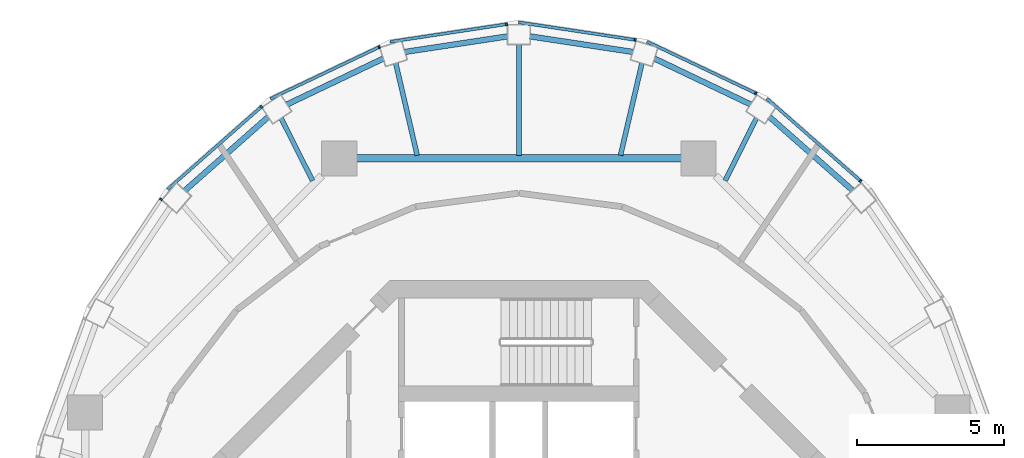
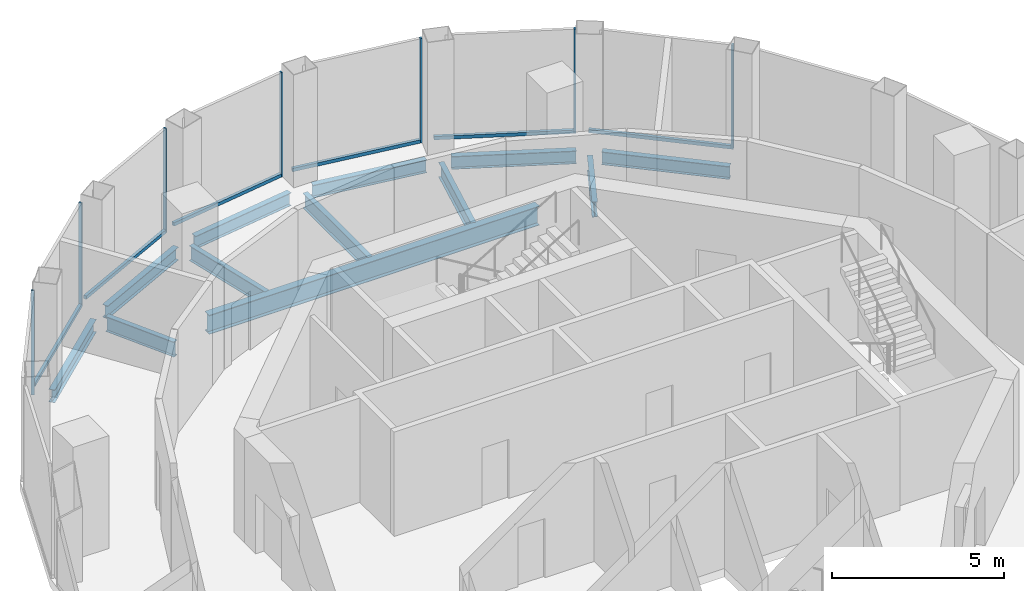
# One storey, part 6 of 11: 13 members, 12 beams, 7 elements without a shape of their own.
"""IFC4 building model written with IfcOpenShell, lengths in metres."""

from ifc_helpers import new_model, si_unit, direction, frame, origin, origin_2d, place, context, subcontext, project, spatial, rectangle, i_section, extrude, material, layer, layer_set, material_profile, profile_set, type_object, element, aggregate, save


model = new_model("IFC4")

# Units and contexts
model_context = context("Model", 3, precision=1e-05, world=origin(), true_north=direction((0.0, 1.0)))
body_context = subcontext(model_context, "Body", "Model", "MODEL_VIEW")
ifc_project = project(units=[si_unit("LENGTHUNIT", "METRE"), si_unit("AREAUNIT", "SQUARE_METRE"), si_unit("VOLUMEUNIT", "CUBIC_METRE"), si_unit("PLANEANGLEUNIT", "RADIAN"), si_unit("MASSUNIT", "GRAM", prefix="KILO")], contexts=[model_context])

# Site, building, storey
site_placement = place(None, origin())
site = spatial("IfcSite", under=ifc_project, at=site_placement, CompositionType="ELEMENT")
building_placement = place(site_placement, origin())
building = spatial("IfcBuilding", under=site, at=building_placement, Name="Nagisa Residences", CompositionType="ELEMENT")
storey_placement = place(building_placement, frame((0.0, 0.0, 336.89990234375)))
storey = spatial("IfcBuildingStorey", under=building, at=storey_placement, Name="L83", CompositionType="ELEMENT", Elevation=336.89990234375)

# Curtain wall, member
ifc_material_1 = material(Name="Aluminium curtain wall system", Category="aluminium")
ifc_layer = layer(ifc_material_1, 0.159912109375)
ifc_layer_set = layer_set([ifc_layer], Name="CW5 CURTAIN WALL")
curtain_wall_type = type_object("IfcCurtainWallType", Name="CW5 CURTAIN WALL", PredefinedType="NOTDEFINED", material=ifc_layer_set)
curtain_wall_1_placement = place(storey_placement, origin())
curtain_wall_1 = element("IfcCurtainWall", 1, at=curtain_wall_1_placement, inside=storey, type_object=curtain_wall_type, Name="cw:CW5:L83:03", PredefinedType="NOTDEFINED")
ifc_material_2 = material(Name="Aluminium", Category="aluminium")
ifc_material_profile_1 = material_profile(ifc_material_2, rectangle(XDim=0.10009765625, YDim=0.06005859375, at=origin_2d()), Name="CW5 MULLION 100x60")
ifc_profile_set_1 = profile_set([ifc_material_profile_1], Name="Aluminium")
member_type_1 = type_object("IfcMemberType", Name="CW5 MULLION 100x60", PredefinedType="MULLION", material=ifc_profile_set_1)
member_1_placement = place(storey_placement, frame((11.645263671875, 14.0126953125, 0.0), z_axis=(0.0, 0.0, 1.0), x_axis=(-0.660699467703, -0.750650526795, 0.0)))
member_1 = element("IfcMember", 2, at=member_1_placement, type_object=member_type_1, Name="CW5 mullion", PredefinedType="MULLION", context=body_context, shape_type="SweptSolid", body=[
    extrude(rectangle(XDim=0.10009765625, YDim=0.06005859375, at=origin_2d()), origin(), (0.0, 0.0, 1.0), 3.7001953125),
])

curtain_wall_2_placement = place(storey_placement, origin())
curtain_wall_2 = element("IfcCurtainWall", 3, at=curtain_wall_2_placement, inside=storey, type_object=curtain_wall_type, Name="cw:CW5:L83:04", PredefinedType="NOTDEFINED")
member_2_placement = place(storey_placement, frame((8.077392578125, 16.999755859375, 0.0), z_axis=(0.0, 0.0, 1.0), x_axis=(-0.429150642757, -0.903232929992, 0.0)))
member_2 = element("IfcMember", 4, at=member_2_placement, type_object=member_type_1, Name="CW5 mullion", PredefinedType="MULLION", context=body_context, shape_type="SweptSolid", body=[
    extrude(rectangle(XDim=0.10009765625, YDim=0.06005859375, at=origin_2d()), origin(), (0.0, 0.0, 1.0), 3.7001953125),
])

curtain_wall_3_placement = place(storey_placement, origin())
curtain_wall_3 = element("IfcCurtainWall", 5, at=curtain_wall_3_placement, inside=storey, type_object=curtain_wall_type, Name="cw:CW5:L83:05", PredefinedType="NOTDEFINED")
member_3_placement = place(storey_placement, frame((3.962890625, 18.820556640625, 0.0), z_axis=(0.0, 0.0, 1.0), x_axis=(-0.149320135997, -0.988788904158, 0.0)))
member_3 = element("IfcMember", 6, at=member_3_placement, type_object=member_type_1, Name="CW5 mullion", PredefinedType="MULLION", context=body_context, shape_type="SweptSolid", body=[
    extrude(rectangle(XDim=0.10009765625, YDim=0.06005859375, at=origin_2d()), origin(), (0.0, 0.0, 1.0), 3.7001953125),
])

curtain_wall_4_placement = place(storey_placement, origin())
curtain_wall_4 = element("IfcCurtainWall", 7, at=curtain_wall_4_placement, inside=storey, type_object=curtain_wall_type, Name="cw:CW5:L83:06", PredefinedType="NOTDEFINED")
member_4_placement = place(storey_placement, frame((-0.413330078125, 19.356689453125, 0.0), z_axis=(0.0, 0.0, 1.0), x_axis=(0.149320135997, -0.988788904158, 0.0)))
member_4 = element("IfcMember", 8, at=member_4_placement, type_object=member_type_1, Name="CW5 mullion", PredefinedType="MULLION", context=body_context, shape_type="SweptSolid", body=[
    extrude(rectangle(XDim=0.10009765625, YDim=0.06005859375, at=origin_2d()), origin(), (0.0, 0.0, 1.0), 3.7001953125),
])

curtain_wall_5_placement = place(storey_placement, origin())
curtain_wall_5 = element("IfcCurtainWall", 9, at=curtain_wall_5_placement, inside=storey, type_object=curtain_wall_type, Name="cw:CW5:L83:07", PredefinedType="NOTDEFINED")
member_5_placement = place(storey_placement, frame((-4.75390625, 18.578857421875, 0.0), z_axis=(0.0, 0.0, 1.0), x_axis=(0.429150642757, -0.903232929992, 0.0)))
member_5 = element("IfcMember", 10, at=member_5_placement, type_object=member_type_1, Name="CW5 mullion", PredefinedType="MULLION", context=body_context, shape_type="SweptSolid", body=[
    extrude(rectangle(XDim=0.10009765625, YDim=0.06005859375, at=origin_2d()), origin(), (0.0, 0.0, 1.0), 3.7001953125),
])

curtain_wall_6_placement = place(storey_placement, origin())
curtain_wall_6 = element("IfcCurtainWall", 11, at=curtain_wall_6_placement, inside=storey, type_object=curtain_wall_type, Name="cw:CW5:L83:08", PredefinedType="NOTDEFINED")
member_6_placement = place(storey_placement, frame((-8.77001953125, 16.54345703125, 0.0), z_axis=(0.0, 0.0, 1.0), x_axis=(0.660699467703, -0.750650526795, 0.0)))
member_6 = element("IfcMember", 12, at=member_6_placement, type_object=member_type_1, Name="CW5 mullion", PredefinedType="MULLION", context=body_context, shape_type="SweptSolid", body=[
    extrude(rectangle(XDim=0.10009765625, YDim=0.06005859375, at=origin_2d()), origin(), (0.0, 0.0, 1.0), 3.7001953125),
])

curtain_wall_7_placement = place(storey_placement, origin())
curtain_wall_7 = element("IfcCurtainWall", 13, at=curtain_wall_7_placement, inside=storey, type_object=curtain_wall_type, Name="cw:CW5:L83:09", PredefinedType="NOTDEFINED")
member_7_placement = place(storey_placement, frame((-12.193359375, 13.38671875, 0.0), z_axis=(0.0, 0.0, 1.0), x_axis=(0.831172662415, -0.556014393027, 0.0)))
member_7 = element("IfcMember", 14, at=member_7_placement, type_object=member_type_1, Name="CW5 mullion", PredefinedType="MULLION", context=body_context, shape_type="SweptSolid", body=[
    extrude(rectangle(XDim=0.10009765625, YDim=0.06005859375, at=origin_2d()), origin(), (0.0, 0.0, 1.0), 3.7001953125),
])
aggregate(curtain_wall_7, [member_7])

# Member
ifc_material_3 = material(Name="Aluminium", Category="aluminium")
ifc_material_profile_2 = material_profile(ifc_material_3, rectangle(XDim=0.10009765625, YDim=0.1201171875, at=origin_2d()), Name="CW5 TRANSOM 100x120")
ifc_profile_set_2 = profile_set([ifc_material_profile_2], Name="Aluminium")
member_type_2 = type_object("IfcMemberType", Name="CW5 TRANSOM 100x120", PredefinedType="USERDEFINED", material=ifc_profile_set_2)
member_8_placement = place(storey_placement, frame((11.667724609375, 13.992919921875, 0.06005859375), z_axis=(-0.750659327094, 0.660689469151, 0.0), x_axis=(-0.660689469151, -0.750659327094, 0.0)))
member_8 = element("IfcMember", 15, at=member_8_placement, type_object=member_type_2, Name="CW5 transom", ObjectType="TRANSOM", PredefinedType="USERDEFINED", context=body_context, shape_type="SweptSolid", body=[
    extrude(rectangle(XDim=0.10009765625, YDim=0.1201171875, at=origin_2d()), origin(), (0.0, 0.0, 1.0), 4.290283203125),
])

aggregate(curtain_wall_1, [member_1, member_8])

member_9_placement = place(storey_placement, frame((8.1044921875, 16.98681640625, 0.06005859375), z_axis=(-0.903246073132, 0.429122979309, 0.0), x_axis=(-0.429122979309, -0.903246073132, 0.0)))
member_9 = element("IfcMember", 16, at=member_9_placement, type_object=member_type_2, Name="CW5 transom", ObjectType="TRANSOM", PredefinedType="USERDEFINED", context=body_context, shape_type="SweptSolid", body=[
    extrude(rectangle(XDim=0.10009765625, YDim=0.1201171875, at=origin_2d()), origin(), (0.0, 0.0, 1.0), 4.1396484375),
])

aggregate(curtain_wall_2, [member_2, member_9])

member_10_placement = place(storey_placement, frame((3.992431640625, 18.816162109375, 0.06005859375), z_axis=(-0.988788172803, 0.149324978907, 0.0), x_axis=(-0.149324978907, -0.988788172803, 0.0)))
member_10 = element("IfcMember", 17, at=member_10_placement, type_object=member_type_2, Name="CW5 transom", ObjectType="TRANSOM", PredefinedType="USERDEFINED", context=body_context, shape_type="SweptSolid", body=[
    extrude(rectangle(XDim=0.10009765625, YDim=0.1201171875, at=origin_2d()), origin(), (0.0, 0.0, 1.0), 4.0498046875),
])

aggregate(curtain_wall_3, [member_3, member_10])

member_11_placement = place(storey_placement, frame((-0.383544921875, 19.361083984375, 0.06005859375), z_axis=(-0.988788172803, -0.149324978907, 0.0), x_axis=(0.149324978907, -0.988788172803, 0.0)))
member_11 = element("IfcMember", 18, at=member_11_placement, type_object=member_type_2, Name="CW5 transom", ObjectType="TRANSOM", PredefinedType="USERDEFINED", context=body_context, shape_type="SweptSolid", body=[
    extrude(rectangle(XDim=0.10009765625, YDim=0.1201171875, at=origin_2d()), origin(), (0.0, 0.0, 1.0), 4.0498046875),
])

aggregate(curtain_wall_4, [member_4, member_11])

member_12_placement = place(storey_placement, frame((-4.726806640625, 18.591552734375, 0.06005859375), z_axis=(-0.903235211694, -0.429145840426, 0.0), x_axis=(0.429145840426, -0.903235211694, 0.0)))
member_12 = element("IfcMember", 19, at=member_12_placement, type_object=member_type_2, Name="CW5 transom", ObjectType="TRANSOM", PredefinedType="USERDEFINED", context=body_context, shape_type="SweptSolid", body=[
    extrude(rectangle(XDim=0.10009765625, YDim=0.1201171875, at=origin_2d()), origin(), (0.0, 0.0, 1.0), 4.139404296875),
])

aggregate(curtain_wall_5, [member_5, member_12])

member_13_placement = place(storey_placement, frame((-8.747314453125, 16.563232421875, 0.06005859375), z_axis=(-0.750655944686, -0.66069331214, 0.0), x_axis=(0.66069331214, -0.750655944686, 0.0)))
member_13 = element("IfcMember", 20, at=member_13_placement, type_object=member_type_2, Name="CW5 transom", ObjectType="TRANSOM", PredefinedType="USERDEFINED", context=body_context, shape_type="SweptSolid", body=[
    extrude(rectangle(XDim=0.10009765625, YDim=0.1201171875, at=origin_2d()), origin(), (0.0, 0.0, 1.0), 4.29052734375),
])

aggregate(curtain_wall_6, [member_6, member_13])

# Beams
ifc_material_4 = material(Name="Steel ASTM A572 Gr 50", Category="steel")
ifc_material_profile_3 = material_profile(ifc_material_4, i_section(OverallWidth=0.2529296875, OverallDepth=0.677978515625, WebThickness=0.01171875, FlangeThickness=0.016357421875, at=origin_2d()), Name="W690x125")
ifc_profile_set_3 = profile_set([ifc_material_profile_3], Name="Steel ASTM A572 Gr 50")
beam_type_1 = type_object("IfcBeamType", Name="Inner ring beam W690x125", PredefinedType="BEAM", material=ifc_profile_set_3)
beam_1_placement = place(storey_placement, frame((5.54296875, 14.781982421875, -0.638916015625), z_axis=(-1.0, 0.0, 0.0), x_axis=(0.0, -1.0, 0.0)))
element("IfcBeam", 21, at=beam_1_placement, inside=storey, type_object=beam_type_1, Name="beam:L83:ib2", PredefinedType="BEAM", context=body_context, shape_type="SweptSolid", body=[
    extrude(i_section(OverallWidth=0.2529296875, OverallDepth=0.677978515625, WebThickness=0.01171875, FlangeThickness=0.016357421875, at=origin_2d()), origin(), (0.0, 0.0, 1.0), 11.0859375),
])
ifc_material_5 = material(Name="Steel ASTM A572 Gr 50", Category="steel")
ifc_material_profile_4 = material_profile(ifc_material_5, i_section(OverallWidth=0.18994140625, OverallDepth=0.45703125, WebThickness=0.009033203125, FlangeThickness=0.014404296875, at=origin_2d()), Name="W460x74")
ifc_profile_set_4 = profile_set([ifc_material_profile_4], Name="Steel ASTM A572 Gr 50")
beam_type_2 = type_object("IfcBeamType", Name="Perimeter ring beam W460x74", PredefinedType="BEAM", material=ifc_profile_set_4)
beam_2_placement = place(storey_placement, frame((11.3798828125, 13.68896484375, -0.5283203125), z_axis=(-0.749401876552, 0.662115418503, 0.0), x_axis=(-0.662115418503, -0.749401876552, 0.0)))
element("IfcBeam", 22, at=beam_2_placement, inside=storey, type_object=beam_type_2, Name="beam:L83:pb04", PredefinedType="BEAM", context=body_context, shape_type="SweptSolid", body=[
    extrude(i_section(OverallWidth=0.18994140625, OverallDepth=0.45703125, WebThickness=0.009033203125, FlangeThickness=0.014404296875, at=origin_2d()), origin(), (0.0, 0.0, 1.0), 3.792724609375),
])
beam_3_placement = place(storey_placement, frame((7.903564453125, 16.619873046875, -0.5283203125), z_axis=(-0.902613702305, 0.430451512266, 0.0), x_axis=(-0.430451512266, -0.902613702305, 0.0)))
element("IfcBeam", 23, at=beam_3_placement, inside=storey, type_object=beam_type_2, Name="beam:L83:pb05", PredefinedType="BEAM", context=body_context, shape_type="SweptSolid", body=[
    extrude(i_section(OverallWidth=0.18994140625, OverallDepth=0.45703125, WebThickness=0.009033203125, FlangeThickness=0.014404296875, at=origin_2d()), origin(), (0.0, 0.0, 1.0), 3.640625),
])
for number, where, z_axis, x_axis, name in (
    (24, (3.890380859375, 18.41015625, -0.5283203125), (-0.988700067025, 0.149907229525, 0.0), (-0.149907229525, -0.988700067025, 0.0), "beam:L83:pb06"),
    (25, (-0.380126953125, 18.9423828125, -0.5283203125), (-0.988700067025, -0.149907229525, 0.0), (0.149907229525, -0.988700067025, 0.0), "beam:L83:pb07"),
):
    element("IfcBeam", number, at=place(storey_placement, frame(where, z_axis=z_axis, x_axis=x_axis)), inside=storey, type_object=beam_type_2, Name=name, PredefinedType="BEAM", context=body_context, shape_type="SweptSolid", body=[
        extrude(i_section(OverallWidth=0.18994140625, OverallDepth=0.45703125, WebThickness=0.009033203125, FlangeThickness=0.014404296875, at=origin_2d()), origin(), (0.0, 0.0, 1.0), 3.55029296875),
    ])
beam_4_placement = place(storey_placement, frame((-4.617431640625, 18.18701171875, -0.5283203125), z_axis=(-0.902613702305, -0.430451512266, 0.0), x_axis=(0.430451512266, -0.902613702305, 0.0)))
element("IfcBeam", 26, at=beam_4_placement, inside=storey, type_object=beam_type_2, Name="beam:L83:pb08", PredefinedType="BEAM", context=body_context, shape_type="SweptSolid", body=[
    extrude(i_section(OverallWidth=0.18994140625, OverallDepth=0.45703125, WebThickness=0.009033203125, FlangeThickness=0.014404296875, at=origin_2d()), origin(), (0.0, 0.0, 1.0), 3.640625),
])
beam_5_placement = place(storey_placement, frame((-8.53759765625, 16.2001953125, -0.5283203125), z_axis=(-0.749401876552, -0.662115418503, 0.0), x_axis=(0.662115418503, -0.749401876552, 0.0)))
element("IfcBeam", 27, at=beam_5_placement, inside=storey, type_object=beam_type_2, Name="beam:L83:pb09", PredefinedType="BEAM", context=body_context, shape_type="SweptSolid", body=[
    extrude(i_section(OverallWidth=0.18994140625, OverallDepth=0.45703125, WebThickness=0.009033203125, FlangeThickness=0.014404296875, at=origin_2d()), origin(), (0.0, 0.0, 1.0), 3.792724609375),
])
ifc_material_6 = material(Name="Steel ASTM A572 Gr 50", Category="steel")
ifc_material_profile_5 = material_profile(ifc_material_6, i_section(OverallWidth=0.166015625, OverallDepth=0.534912109375, WebThickness=0.01025390625, FlangeThickness=0.0166015625, at=origin_2d()), Name="W530x85")
ifc_profile_set_5 = profile_set([ifc_material_profile_5], Name="Steel ASTM A572 Gr 50")
beam_type_3 = type_object("IfcBeamType", Name="Radial beam W530x85", PredefinedType="BEAM", material=ifc_profile_set_5)
beam_6_placement = place(storey_placement, frame((8.10107421875, 16.1572265625, -0.5673828125), z_axis=(-0.448236908276, -0.893914802461, 0.0), x_axis=(0.893914802461, -0.448236908276, 0.0)))
element("IfcBeam", 28, at=beam_6_placement, inside=storey, type_object=beam_type_3, Name="beam:L83:rb05", PredefinedType="BEAM", context=body_context, shape_type="SweptSolid", body=[
    extrude(i_section(OverallWidth=0.166015625, OverallDepth=0.534912109375, WebThickness=0.01025390625, FlangeThickness=0.0166015625, at=origin_2d()), origin(), (0.0, 0.0, 1.0), 2.385009765625),
])
beam_7_placement = place(storey_placement, frame((4.195556640625, 18.0302734375, -0.5673828125), z_axis=(-0.226650446588, -0.973976167604, 0.0), x_axis=(0.973976167604, -0.226650446588, 0.0)))
element("IfcBeam", 29, at=beam_7_placement, inside=storey, type_object=beam_type_3, Name="beam:L83:rb06", PredefinedType="BEAM", context=body_context, shape_type="SweptSolid", body=[
    extrude(i_section(OverallWidth=0.166015625, OverallDepth=0.534912109375, WebThickness=0.01025390625, FlangeThickness=0.0166015625, at=origin_2d()), origin(), (0.0, 0.0, 1.0), 3.22509765625),
])
beam_8_placement = place(storey_placement, frame((0.0, 18.669921875, -0.5673828125), z_axis=(0.0, -1.0, 0.0), x_axis=(1.0, 0.0, 0.0)))
element("IfcBeam", 30, at=beam_8_placement, inside=storey, type_object=beam_type_3, Name="beam:L83:rb07", PredefinedType="BEAM", context=body_context, shape_type="SweptSolid", body=[
    extrude(i_section(OverallWidth=0.166015625, OverallDepth=0.534912109375, WebThickness=0.01025390625, FlangeThickness=0.0166015625, at=origin_2d()), origin(), (0.0, 0.0, 1.0), 3.78125),
])
beam_9_placement = place(storey_placement, frame((-4.195556640625, 18.0302734375, -0.5673828125), z_axis=(0.226650446588, -0.973976167604, 0.0), x_axis=(0.973976167604, 0.226650446588, 0.0)))
element("IfcBeam", 31, at=beam_9_placement, inside=storey, type_object=beam_type_3, Name="beam:L83:rb08", PredefinedType="BEAM", context=body_context, shape_type="SweptSolid", body=[
    extrude(i_section(OverallWidth=0.166015625, OverallDepth=0.534912109375, WebThickness=0.01025390625, FlangeThickness=0.0166015625, at=origin_2d()), origin(), (0.0, 0.0, 1.0), 3.22509765625),
])
beam_10_placement = place(storey_placement, frame((-8.10107421875, 16.1572265625, -0.5673828125), z_axis=(0.448236908276, -0.893914802461, 0.0), x_axis=(0.893914802461, 0.448236908276, 0.0)))
element("IfcBeam", 32, at=beam_10_placement, inside=storey, type_object=beam_type_3, Name="beam:L83:rb09", PredefinedType="BEAM", context=body_context, shape_type="SweptSolid", body=[
    extrude(i_section(OverallWidth=0.166015625, OverallDepth=0.534912109375, WebThickness=0.01025390625, FlangeThickness=0.0166015625, at=origin_2d()), origin(), (0.0, 0.0, 1.0), 2.385009765625),
])

save(model, "model.ifc")
